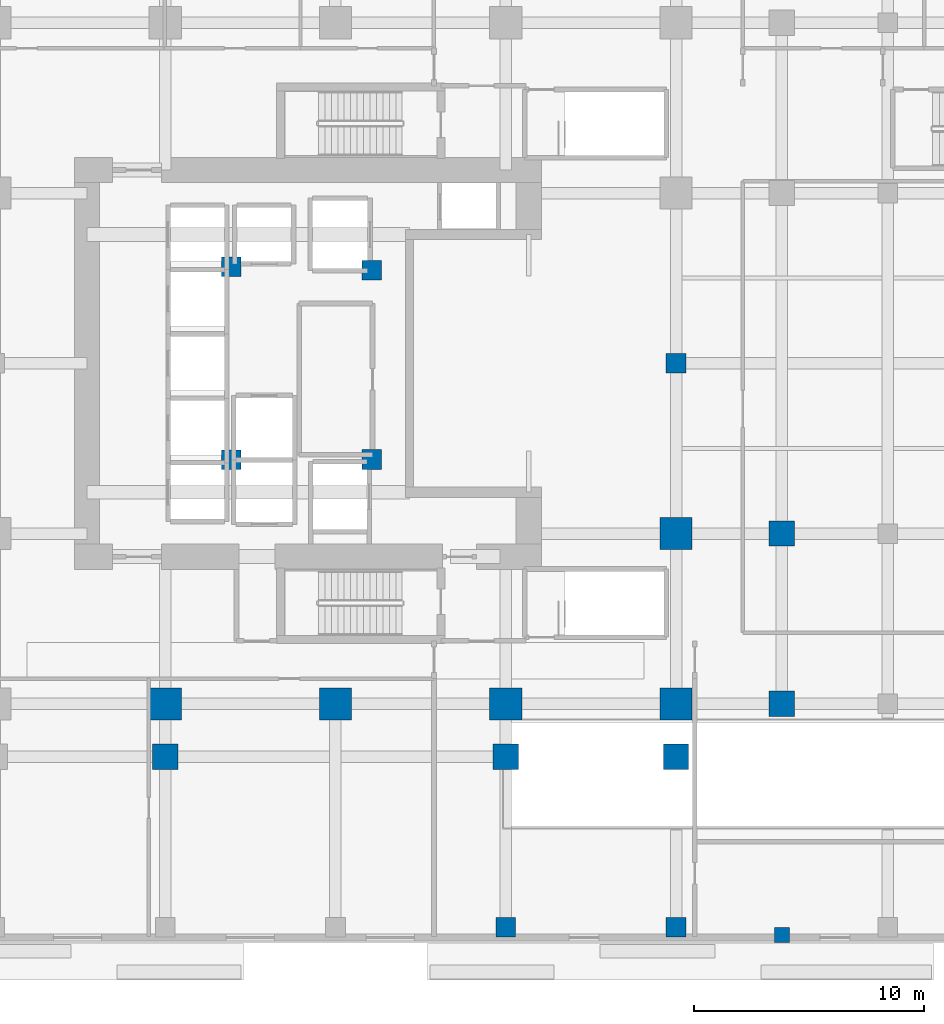
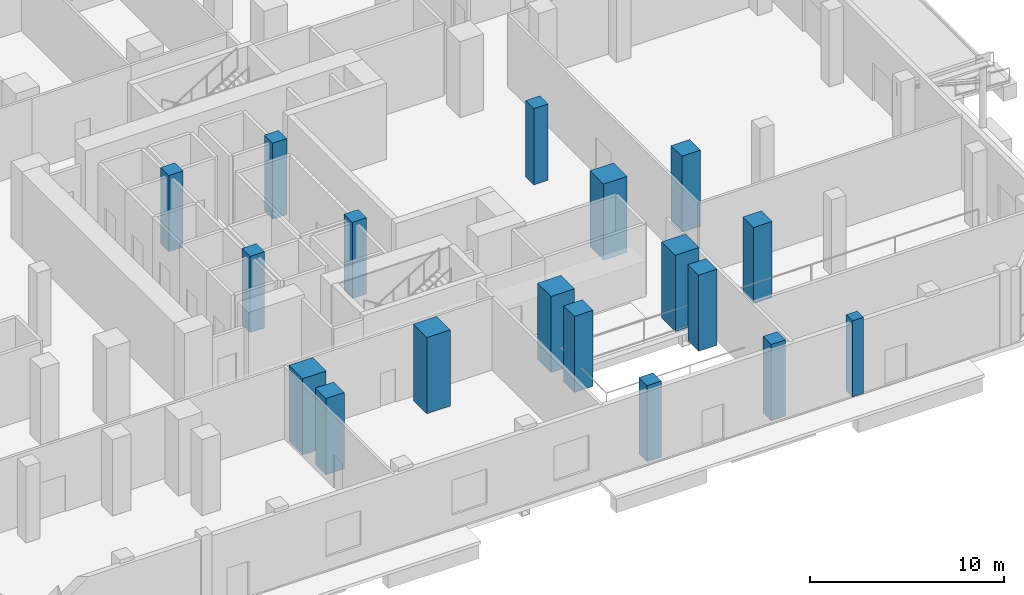
# One storey, part 3 of 24: 18 columns.
"""IFC4 building model written with IfcOpenShell, lengths in metres."""

from ifc_helpers import new_model, si_unit, direction, frame, origin, origin_2d, place, context, subcontext, project, spatial, rectangle, extrude, material, material_profile, profile_set, type_object, element, save


model = new_model("IFC4")

# Units and contexts
model_context = context("Model", 3, precision=1e-05, world=origin(), true_north=direction((0.0, 1.0)))
body_context = subcontext(model_context, "Body", "Model", "MODEL_VIEW")
ifc_project = project(units=[si_unit("LENGTHUNIT", "METRE"), si_unit("AREAUNIT", "SQUARE_METRE"), si_unit("VOLUMEUNIT", "CUBIC_METRE"), si_unit("PLANEANGLEUNIT", "RADIAN"), si_unit("MASSUNIT", "GRAM", prefix="KILO")], contexts=[model_context])

# Site, building, storey
site_placement = place(None, origin())
site = spatial("IfcSite", under=ifc_project, at=site_placement, CompositionType="ELEMENT")
building_placement = place(site_placement, origin())
building = spatial("IfcBuilding", under=site, at=building_placement, Name="Khorvyn Point Tower", CompositionType="ELEMENT")
storey_placement = place(building_placement, origin())
storey = spatial("IfcBuildingStorey", under=building, at=storey_placement, Name="L01", CompositionType="ELEMENT", Elevation=0.0)

# Columns
ifc_material_1 = material(Name="Concrete C40/50", Category="concrete")
ifc_material_profile_1 = material_profile(ifc_material_1, rectangle(XDim=0.85009765625, YDim=0.85009765625, at=origin_2d()))
ifc_profile_set_1 = profile_set([ifc_material_profile_1], Name="Concrete C40/50 RC850x850")
column_type_1 = type_object("IfcColumnType", Name="Concrete C40/50 Column RC850x850", PredefinedType="COLUMN", material=ifc_profile_set_1)
for number, where, z_axis, x_axis, name in (
    (1, (-4.52001953125, -4.199951171875, 0.0), (0.0, 0.0, 1.0), (1.0, 0.0, 0.0), "L01 Crown Core Spine Column 1"),
    (2, (1.580078125, -4.179931640625, 0.0), (0.0, 0.0, 1.0), (1.0, 0.0, 0.0), "L01 Crown Core Spine Column 2"),
    (3, (1.580078125, 4.050048828125, 0.0), (0.0, 0.0, 1.0), (1.0, 0.0, 0.0), "L01 Crown Core Spine Column 3"),
    (4, (-4.52001953125, 4.199951171875, 0.0), (0.0, 0.0, 1.0), (1.0, 0.0, 0.0), "L01 Crown Core Spine Column 4"),
    (5, (7.39990234375, -24.5, 0.0), (0.0, 0.0, 1.0), (1.0, 0.0, 0.0), "PC-L01-+074--245"),
    (6, (14.800048828125, -24.5, 0.0), (0.0, 0.0, 1.0), (1.0, 0.0, 0.0), "PC-L01-+148--245"),
    (7, (14.800048828125, 0.0, 0.0), (0.0, 0.0, 1.0), (1.0, 0.0, 0.0), "PC-L01-+148-+000"),
):
    element("IfcColumn", number, at=place(storey_placement, frame(where, z_axis=z_axis, x_axis=x_axis)), inside=storey, type_object=column_type_1, Name=name, PredefinedType="COLUMN", context=body_context, shape_type="SweptSolid", body=[
        extrude(rectangle(XDim=0.85009765625, YDim=0.85009765625, at=origin_2d()), origin(), (0.0, 0.0, 1.0), 4.800048828125),
    ])
ifc_material_profile_2 = material_profile(ifc_material_1, rectangle(XDim=0.64990234375, YDim=0.64990234375, at=origin_2d()))
ifc_profile_set_2 = profile_set([ifc_material_profile_2], Name="Concrete C40/50 RC650x650")
column_type_2 = type_object("IfcColumnType", Name="Concrete C40/50 Pilaster RC650x650", PredefinedType="PILASTER", material=ifc_profile_set_2)
column_placement = place(storey_placement, frame((19.39990234375, -24.85009765625, 0.0), z_axis=(0.0, 0.0, 1.0), x_axis=(1.0, 0.0, 0.0)))
element("IfcColumn", 8, at=column_placement, inside=storey, type_object=column_type_2, Name="L01 Colonnade Pilaster S", PredefinedType="PILASTER", context=body_context, shape_type="SweptSolid", body=[
    extrude(rectangle(XDim=0.64990234375, YDim=0.64990234375, at=origin_2d()), origin(), (0.0, 0.0, 1.0), 4.800048828125),
])
ifc_material_2 = material(Name="Concrete C45/55", Category="concrete")
ifc_material_profile_3 = material_profile(ifc_material_2, rectangle(XDim=1.10009765625, YDim=1.10009765625, at=origin_2d()))
ifc_profile_set_3 = profile_set([ifc_material_profile_3], Name="Concrete C45/55 RC1100x1100")
column_type_3 = type_object("IfcColumnType", Name="Concrete C45/55 Column RC1100x1100", PredefinedType="COLUMN", material=ifc_profile_set_3)
for number, where, z_axis, x_axis, name in (
    (9, (19.39990234375, -14.800048828125, 0.0), (0.0, 0.0, 1.0), (1.0, 0.0, 0.0), "L01 Intermediate Column ICE--14"),
    (10, (19.39990234375, -7.39990234375, 0.0), (0.0, 0.0, 1.0), (1.0, 0.0, 0.0), "L01 Intermediate Column ICE--7"),
    (11, (-7.39990234375, -17.10009765625, 0.0), (0.0, 0.0, 1.0), (1.0, 0.0, 0.0), "L01 Intermediate Column ICS--7"),
    (12, (7.39990234375, -17.10009765625, 0.0), (0.0, 0.0, 1.0), (1.0, 0.0, 0.0), "L01 Intermediate Column ICS-7"),
    (13, (14.800048828125, -17.10009765625, 0.0), (0.0, 0.0, 1.0), (1.0, 0.0, 0.0), "L01 Intermediate Column ICS-14"),
):
    element("IfcColumn", number, at=place(storey_placement, frame(where, z_axis=z_axis, x_axis=x_axis)), inside=storey, type_object=column_type_3, Name=name, PredefinedType="COLUMN", context=body_context, shape_type="SweptSolid", body=[
        extrude(rectangle(XDim=1.10009765625, YDim=1.10009765625, at=origin_2d()), origin(), (0.0, 0.0, 1.0), 4.800048828125),
    ])
ifc_material_3 = material(Name="Concrete C50/60", Category="concrete")
ifc_material_profile_4 = material_profile(ifc_material_3, rectangle(XDim=1.39990234375, YDim=1.39990234375, at=origin_2d()))
ifc_profile_set_4 = profile_set([ifc_material_profile_4], Name="Concrete C50/60 RC1400x1400")
column_type_4 = type_object("IfcColumnType", Name="Concrete C50/60 Column RC1400x1400", PredefinedType="COLUMN", material=ifc_profile_set_4)
for number, where, z_axis, x_axis, name in (
    (14, (-7.39990234375, -14.800048828125, 0.0), (0.0, 0.0, 1.0), (1.0, 0.0, 0.0), "L01 Mega-Column MC-02"),
    (15, (0.0, -14.800048828125, 0.0), (0.0, 0.0, 1.0), (1.0, 0.0, 0.0), "L01 Mega-Column MC-03"),
    (16, (7.39990234375, -14.800048828125, 0.0), (0.0, 0.0, 1.0), (1.0, 0.0, 0.0), "L01 Mega-Column MC-04"),
    (17, (14.800048828125, -14.800048828125, 0.0), (0.0, 0.0, 1.0), (1.0, 0.0, 0.0), "L01 Mega-Column MC-05"),
    (18, (14.800048828125, -7.39990234375, 0.0), (0.0, 0.0, 1.0), (1.0, 0.0, 0.0), "L01 Mega-Column MC-13"),
):
    element("IfcColumn", number, at=place(storey_placement, frame(where, z_axis=z_axis, x_axis=x_axis)), inside=storey, type_object=column_type_4, Name=name, PredefinedType="COLUMN", context=body_context, shape_type="SweptSolid", body=[
        extrude(rectangle(XDim=1.39990234375, YDim=1.39990234375, at=origin_2d()), origin(), (0.0, 0.0, 1.0), 4.800048828125),
    ])

save(model, "model.ifc")
